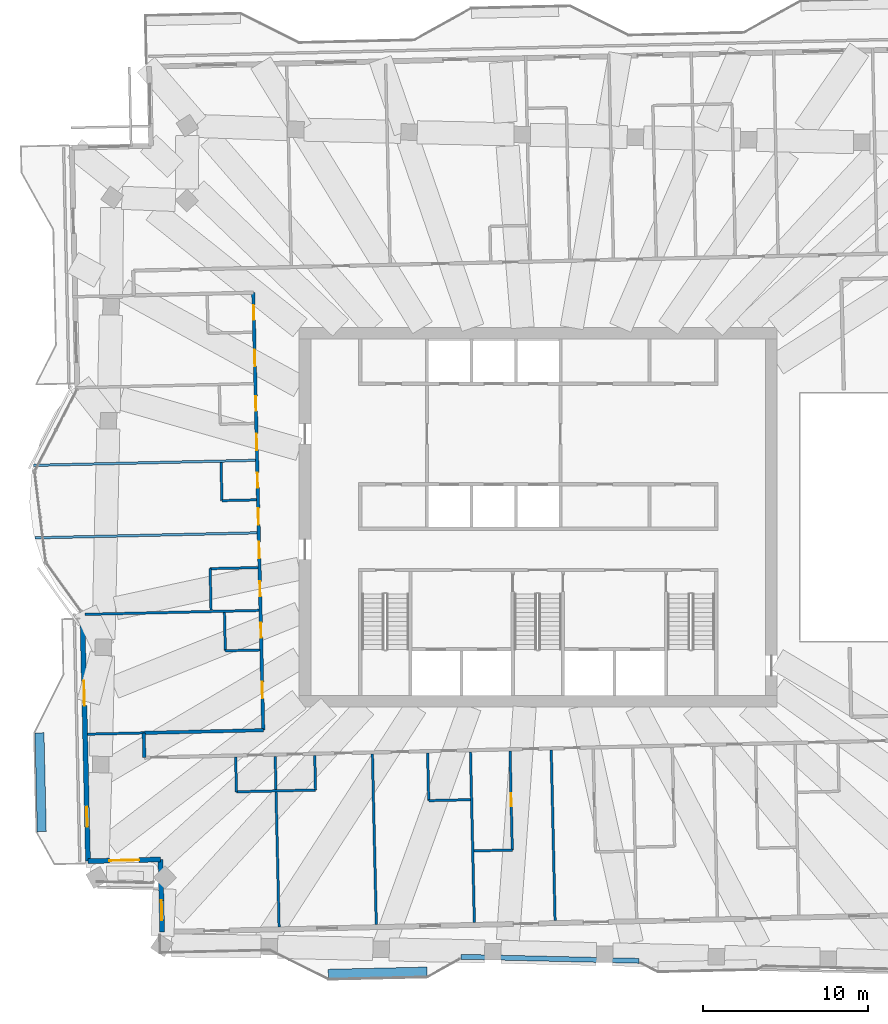
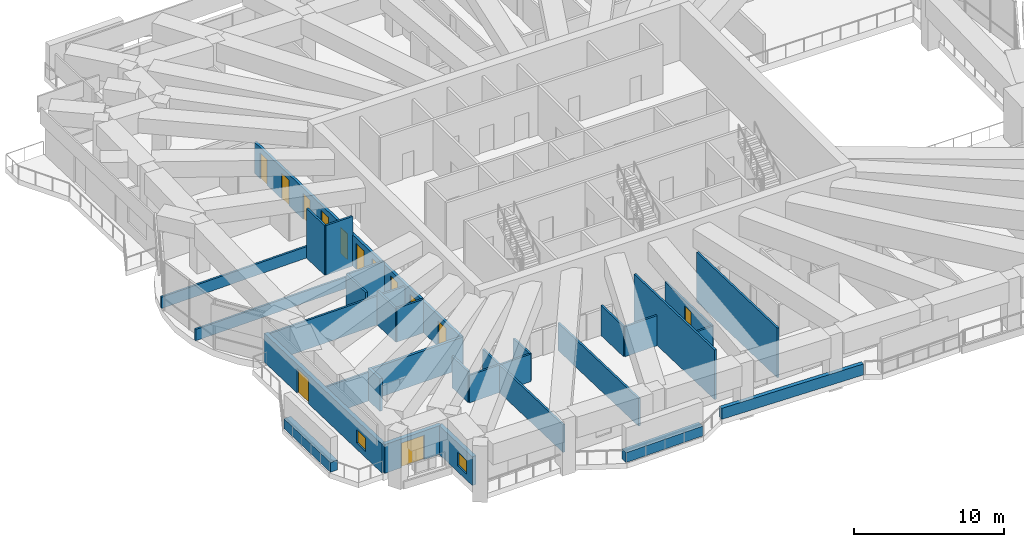
# One storey, part 11 of 21: 30 walls, 13 doors, 2 windows, 15 openings.
"""IFC4 building model written with IfcOpenShell, lengths in metres."""

from ifc_helpers import new_model, si_unit, direction, frame, frame_2d, origin, place, context, subcontext, project, spatial, rectangle, extrude, material, layer, layer_set, type_object, element, fill, save


model = new_model("IFC4")

# Units and contexts
model_context = context("Model", 3, precision=1e-05, world=origin(), true_north=direction((0.0, 1.0)))
body_context = subcontext(model_context, "Body", "Model", "MODEL_VIEW")
ifc_project = project(units=[si_unit("LENGTHUNIT", "METRE"), si_unit("AREAUNIT", "SQUARE_METRE"), si_unit("VOLUMEUNIT", "CUBIC_METRE"), si_unit("PLANEANGLEUNIT", "RADIAN"), si_unit("MASSUNIT", "GRAM", prefix="KILO")], contexts=[model_context])

# Site, building, storey
site_placement = place(None, origin())
site = spatial("IfcSite", under=ifc_project, at=site_placement, CompositionType="ELEMENT")
building_placement = place(site_placement, origin())
building = spatial("IfcBuilding", under=site, at=building_placement, Name="Mangrove Gate Tower", CompositionType="ELEMENT")
storey_placement = place(building_placement, frame((0.0, 0.0, 275.300048828125)))
storey = spatial("IfcBuildingStorey", under=building, at=storey_placement, Name="L70", CompositionType="ELEMENT", Elevation=275.300048828125)

# Walls
ifc_material_1 = material(Name="Gypsum board on steel stud, EI 60", Category="steel")
ifc_layer_1 = layer(ifc_material_1, 0.199951171875)
ifc_layer_set_1 = layer_set([ifc_layer_1], Name="Corridor wall EI 60")
wall_type_1 = type_object("IfcWallType", Name="Corridor wall EI 60", PredefinedType="PARTITIONING", material=ifc_layer_set_1)
wall_1_placement = place(storey_placement, frame((-23.89794921875, -14.5830078125, 0.0), z_axis=(0.0, 0.0, 1.0), x_axis=(-0.022617910375, 0.999744182344, 0.0)))
element("IfcWall", 1, at=wall_1_placement, inside=storey, type_object=wall_type_1, Name="WALL-L70-024", PredefinedType="PARTITIONING", context=body_context, shape_type="SweptSolid", body=[
    extrude(rectangle(XDim=1.50048828125, YDim=0.199951171875, at=frame_2d((0.750244140625, 0.0))), origin(), (0.0, 0.0, 1.0), 2.64990234375),
])
wall_2_placement = place(storey_placement, frame((-23.928955078125, -13.0830078125, 0.0), z_axis=(0.0, 0.0, 1.0), x_axis=(0.999741000612, 0.022758112756, 0.0)))
element("IfcWall", 2, at=wall_2_placement, inside=storey, type_object=wall_type_1, Name="WALL-L70-028", PredefinedType="PARTITIONING", context=body_context, shape_type="SweptSolid", body=[
    extrude(rectangle(XDim=7.251953125, YDim=0.199951171875, at=frame_2d((3.6259765625, 0.0))), origin(), (0.0, 0.0, 1.0), 2.550048828125),
])

# Wall, openings, doors
wall_3_placement = place(storey_placement, frame((-16.68408203125, -12.9189453125, 0.0), z_axis=(0.0, 0.0, 1.0), x_axis=(-0.022712214871, 0.999742044377, 0.0)))
wall_3 = element("IfcWall", 3, at=wall_3_placement, inside=storey, type_object=wall_type_1, Name="WALL-L70-029", PredefinedType="PARTITIONING", context=body_context, shape_type="SweptSolid", body=[
    extrude(rectangle(XDim=26.55078125, YDim=0.199951171875, at=frame_2d((13.275390625, 0.0))), origin(), (0.0, 0.0, 1.0), 2.550048828125),
])
opening_1_placement = place(wall_3_placement, frame((22.087890625, 0.0, 0.0)))
opening_1 = element("IfcOpeningElement", 4, at=opening_1_placement, cuts=wall_3, Name="Opening AD", PredefinedType="OPENING", context=body_context, shape_type="SweptSolid", body=[
    extrude(rectangle(XDim=1.0, YDim=2.10009765625, at=frame_2d((0.5, 1.050048828125))), frame((0.0, 0.10986328125, 0.0), z_axis=(0.0, -1.0, 0.0), x_axis=(1.0, 0.0, 0.0)), (0.0, 0.0, 1.0), 0.219970703125),
])
opening_2_placement = place(wall_3_placement, frame((24.89990234375, 0.0, 0.0)))
opening_2 = element("IfcOpeningElement", 5, at=opening_2_placement, cuts=wall_3, Name="Opening SD", PredefinedType="OPENING", context=body_context, shape_type="SweptSolid", body=[
    extrude(rectangle(XDim=0.89990234375, YDim=2.10009765625, at=frame_2d((0.449951171875, 1.050048828125))), frame((0.0, 0.10986328125, 0.0), z_axis=(0.0, -1.0, 0.0), x_axis=(1.0, 0.0, 0.0)), (0.0, 0.0, 1.0), 0.219970703125),
])
opening_3_placement = place(wall_3_placement, frame((17.0, 0.0, 0.0)))
opening_3 = element("IfcOpeningElement", 6, at=opening_3_placement, cuts=wall_3, Name="Opening AD", PredefinedType="OPENING", context=body_context, shape_type="SweptSolid", body=[
    extrude(rectangle(XDim=1.0, YDim=2.10009765625, at=frame_2d((0.5, 1.050048828125))), frame((0.0, 0.10986328125, 0.0), z_axis=(0.0, -1.0, 0.0), x_axis=(1.0, 0.0, 0.0)), (0.0, 0.0, 1.0), 0.219970703125),
])
opening_4_placement = place(wall_3_placement, frame((19.375, 0.0, 0.0)))
opening_4 = element("IfcOpeningElement", 7, at=opening_4_placement, cuts=wall_3, Name="Opening SD", PredefinedType="OPENING", context=body_context, shape_type="SweptSolid", body=[
    extrude(rectangle(XDim=0.89990234375, YDim=2.10009765625, at=frame_2d((0.449951171875, 1.050048828125))), frame((0.0, 0.10986328125, 0.0), z_axis=(0.0, -1.0, 0.0), x_axis=(1.0, 0.0, 0.0)), (0.0, 0.0, 1.0), 0.219970703125),
])
opening_5_placement = place(wall_3_placement, frame((12.47509765625, 0.0, 0.0)))
opening_5 = element("IfcOpeningElement", 8, at=opening_5_placement, cuts=wall_3, Name="Opening AD", PredefinedType="OPENING", context=body_context, shape_type="SweptSolid", body=[
    extrude(rectangle(XDim=1.0, YDim=2.10009765625, at=frame_2d((0.5, 1.050048828125))), frame((0.0, 0.10986328125, 0.0), z_axis=(0.0, -1.0, 0.0), x_axis=(1.0, 0.0, 0.0)), (0.0, 0.0, 1.0), 0.219970703125),
])
opening_6_placement = place(wall_3_placement, frame((14.72509765625, 0.0, 0.0)))
opening_6 = element("IfcOpeningElement", 9, at=opening_6_placement, cuts=wall_3, Name="Opening SD", PredefinedType="OPENING", context=body_context, shape_type="SweptSolid", body=[
    extrude(rectangle(XDim=0.89990234375, YDim=2.10009765625, at=frame_2d((0.449951171875, 1.050048828125))), frame((0.0, 0.10986328125, 0.0), z_axis=(0.0, -1.0, 0.0), x_axis=(1.0, 0.0, 0.0)), (0.0, 0.0, 1.0), 0.219970703125),
])
opening_7_placement = place(wall_3_placement, frame((10.425048828125, 0.0, 0.0)))
opening_7 = element("IfcOpeningElement", 10, at=opening_7_placement, cuts=wall_3, Name="Opening AD", PredefinedType="OPENING", context=body_context, shape_type="SweptSolid", body=[
    extrude(rectangle(XDim=1.0, YDim=2.10009765625, at=frame_2d((0.5, 1.050048828125))), frame((0.0, 0.10986328125, 0.0), z_axis=(0.0, -1.0, 0.0), x_axis=(1.0, 0.0, 0.0)), (0.0, 0.0, 1.0), 0.219970703125),
])
opening_8_placement = place(wall_3_placement, frame((8.125, 0.0, 0.0)))
opening_8 = element("IfcOpeningElement", 11, at=opening_8_placement, cuts=wall_3, Name="Opening SD", PredefinedType="OPENING", context=body_context, shape_type="SweptSolid", body=[
    extrude(rectangle(XDim=0.89990234375, YDim=2.10009765625, at=frame_2d((0.449951171875, 1.050048828125))), frame((0.0, 0.10986328125, 0.0), z_axis=(0.0, -1.0, 0.0), x_axis=(1.0, 0.0, 0.0)), (0.0, 0.0, 1.0), 0.219970703125),
])
opening_9_placement = place(wall_3_placement, frame((1.93701171875, 0.0, 0.0)))
opening_9 = element("IfcOpeningElement", 12, at=opening_9_placement, cuts=wall_3, Name="Opening AD", PredefinedType="OPENING", context=body_context, shape_type="SweptSolid", body=[
    extrude(rectangle(XDim=1.0, YDim=2.10009765625, at=frame_2d((0.5, 1.050048828125))), frame((0.0, 0.10986328125, 0.0), z_axis=(0.0, -1.0, 0.0), x_axis=(1.0, 0.0, 0.0)), (0.0, 0.0, 1.0), 0.219970703125),
])
opening_10_placement = place(wall_3_placement, frame((5.625, 0.0, 0.0)))
opening_10 = element("IfcOpeningElement", 13, at=opening_10_placement, cuts=wall_3, Name="Opening SD", PredefinedType="OPENING", context=body_context, shape_type="SweptSolid", body=[
    extrude(rectangle(XDim=0.89990234375, YDim=2.10009765625, at=frame_2d((0.449951171875, 1.050048828125))), frame((0.0, 0.10986328125, 0.0), z_axis=(0.0, -1.0, 0.0), x_axis=(1.0, 0.0, 0.0)), (0.0, 0.0, 1.0), 0.219970703125),
])
ifc_material_2 = material(Name="Timber door leaf", Category="wood")
door_type_1 = type_object("IfcDoorType", Name="Amenity door 1000", OperationType="SINGLE_SWING_LEFT", PredefinedType="DOOR", material=ifc_material_2)
door_1_placement = place(opening_1_placement, origin())
door_1 = element("IfcDoor", 14, at=door_1_placement, inside=storey, type_object=door_type_1, Name="DOOR-L70-KIT-c5b", OperationType="SINGLE_SWING_RIGHT", OverallHeight=2.10009765625, OverallWidth=1.0, PredefinedType="DOOR", context=body_context, shape_type="SweptSolid", body=[
    extrude(rectangle(XDim=1.0, YDim=2.10009765625, at=frame_2d((0.5, 1.050048828125))), frame((0.0, 0.02490234375, 0.0), z_axis=(0.0, -1.0, 0.0), x_axis=(1.0, 0.0, 0.0)), (0.0, 0.0, 1.0), 0.050048828125),
])
fill(opening_1, door_1)
door_2_placement = place(opening_3_placement, origin())
door_2 = element("IfcDoor", 15, at=door_2_placement, inside=storey, type_object=door_type_1, Name="DOOR-L70-LNG-c5c", OperationType="SINGLE_SWING_LEFT", OverallHeight=2.10009765625, OverallWidth=1.0, PredefinedType="DOOR", context=body_context, shape_type="SweptSolid", body=[
    extrude(rectangle(XDim=1.0, YDim=2.10009765625, at=frame_2d((0.5, 1.050048828125))), frame((0.0, 0.02490234375, 0.0), z_axis=(0.0, -1.0, 0.0), x_axis=(1.0, 0.0, 0.0)), (0.0, 0.0, 1.0), 0.050048828125),
])
fill(opening_3, door_2)
door_3_placement = place(opening_5_placement, origin())
door_3 = element("IfcDoor", 16, at=door_3_placement, inside=storey, type_object=door_type_1, Name="DOOR-L70-KIT-c5c", OperationType="SINGLE_SWING_RIGHT", OverallHeight=2.10009765625, OverallWidth=1.0, PredefinedType="DOOR", context=body_context, shape_type="SweptSolid", body=[
    extrude(rectangle(XDim=1.0, YDim=2.10009765625, at=frame_2d((0.5, 1.050048828125))), frame((0.0, 0.02490234375, 0.0), z_axis=(0.0, -1.0, 0.0), x_axis=(1.0, 0.0, 0.0)), (0.0, 0.0, 1.0), 0.050048828125),
])
fill(opening_5, door_3)
door_4_placement = place(opening_7_placement, origin())
door_4 = element("IfcDoor", 17, at=door_4_placement, inside=storey, type_object=door_type_1, Name="DOOR-L70-LNG-c5d", OperationType="SINGLE_SWING_LEFT", OverallHeight=2.10009765625, OverallWidth=1.0, PredefinedType="DOOR", context=body_context, shape_type="SweptSolid", body=[
    extrude(rectangle(XDim=1.0, YDim=2.10009765625, at=frame_2d((0.5, 1.050048828125))), frame((0.0, 0.02490234375, 0.0), z_axis=(0.0, -1.0, 0.0), x_axis=(1.0, 0.0, 0.0)), (0.0, 0.0, 1.0), 0.050048828125),
])
fill(opening_7, door_4)
door_5_placement = place(opening_9_placement, origin())
door_5 = element("IfcDoor", 18, at=door_5_placement, inside=storey, type_object=door_type_1, Name="DOOR-L70-LNG-c5e", OperationType="SINGLE_SWING_RIGHT", OverallHeight=2.10009765625, OverallWidth=1.0, PredefinedType="DOOR", context=body_context, shape_type="SweptSolid", body=[
    extrude(rectangle(XDim=1.0, YDim=2.10009765625, at=frame_2d((0.5, 1.050048828125))), frame((0.0, 0.02490234375, 0.0), z_axis=(0.0, -1.0, 0.0), x_axis=(1.0, 0.0, 0.0)), (0.0, 0.0, 1.0), 0.050048828125),
])
fill(opening_9, door_5)
ifc_material_3 = material(Name="Timber door leaf", Category="wood")
door_type_2 = type_object("IfcDoorType", Name="Service room door 900", OperationType="SINGLE_SWING_LEFT", PredefinedType="DOOR", material=ifc_material_3)
door_6_placement = place(opening_2_placement, origin())
door_6 = element("IfcDoor", 19, at=door_6_placement, inside=storey, type_object=door_type_2, Name="DOOR-L70-WC-c5a", OperationType="SINGLE_SWING_RIGHT", OverallHeight=2.10009765625, OverallWidth=0.89990234375, PredefinedType="DOOR", context=body_context, shape_type="SweptSolid", body=[
    extrude(rectangle(XDim=0.89990234375, YDim=2.10009765625, at=frame_2d((0.449951171875, 1.050048828125))), frame((0.0, 0.02490234375, 0.0), z_axis=(0.0, -1.0, 0.0), x_axis=(1.0, 0.0, 0.0)), (0.0, 0.0, 1.0), 0.050048828125),
])
fill(opening_2, door_6)
door_7_placement = place(opening_4_placement, origin())
door_7 = element("IfcDoor", 20, at=door_7_placement, inside=storey, type_object=door_type_2, Name="DOOR-L70-LIN-c5b", OperationType="SINGLE_SWING_LEFT", OverallHeight=2.10009765625, OverallWidth=0.89990234375, PredefinedType="DOOR", context=body_context, shape_type="SweptSolid", body=[
    extrude(rectangle(XDim=0.89990234375, YDim=2.10009765625, at=frame_2d((0.449951171875, 1.050048828125))), frame((0.0, 0.02490234375, 0.0), z_axis=(0.0, -1.0, 0.0), x_axis=(1.0, 0.0, 0.0)), (0.0, 0.0, 1.0), 0.050048828125),
])
fill(opening_4, door_7)
door_8_placement = place(opening_6_placement, origin())
door_8 = element("IfcDoor", 21, at=door_8_placement, inside=storey, type_object=door_type_2, Name="DOOR-L70-LIN-c5c", OperationType="SINGLE_SWING_RIGHT", OverallHeight=2.10009765625, OverallWidth=0.89990234375, PredefinedType="DOOR", context=body_context, shape_type="SweptSolid", body=[
    extrude(rectangle(XDim=0.89990234375, YDim=2.10009765625, at=frame_2d((0.449951171875, 1.050048828125))), frame((0.0, 0.02490234375, 0.0), z_axis=(0.0, -1.0, 0.0), x_axis=(1.0, 0.0, 0.0)), (0.0, 0.0, 1.0), 0.050048828125),
])
fill(opening_6, door_8)
door_9_placement = place(opening_8_placement, origin())
door_9 = element("IfcDoor", 22, at=door_9_placement, inside=storey, type_object=door_type_2, Name="DOOR-L70-AWC-c5a", OperationType="SINGLE_SWING_LEFT", OverallHeight=2.10009765625, OverallWidth=0.89990234375, PredefinedType="DOOR", context=body_context, shape_type="SweptSolid", body=[
    extrude(rectangle(XDim=0.89990234375, YDim=2.10009765625, at=frame_2d((0.449951171875, 1.050048828125))), frame((0.0, 0.02490234375, 0.0), z_axis=(0.0, -1.0, 0.0), x_axis=(1.0, 0.0, 0.0)), (0.0, 0.0, 1.0), 0.050048828125),
])
fill(opening_8, door_9)
door_10_placement = place(opening_10_placement, origin())
door_10 = element("IfcDoor", 23, at=door_10_placement, inside=storey, type_object=door_type_2, Name="DOOR-L70-LIN-c5d", OperationType="SINGLE_SWING_RIGHT", OverallHeight=2.10009765625, OverallWidth=0.89990234375, PredefinedType="DOOR", context=body_context, shape_type="SweptSolid", body=[
    extrude(rectangle(XDim=0.89990234375, YDim=2.10009765625, at=frame_2d((0.449951171875, 1.050048828125))), frame((0.0, 0.02490234375, 0.0), z_axis=(0.0, -1.0, 0.0), x_axis=(1.0, 0.0, 0.0)), (0.0, 0.0, 1.0), 0.050048828125),
])
fill(opening_10, door_10)

# Wall, openings, door, window
ifc_material_4 = material(Name="Limestone", Category="masonry")
ifc_layer_2 = layer(ifc_material_4, 0.0400390625, Name="Limestone cladding")
ifc_material_5 = material(Name="Ventilated air gap")
ifc_layer_3 = layer(ifc_material_5, 0.0400390625, Name="Ventilated cavity")
ifc_material_6 = material(Name="Mineral wool insulation")
ifc_layer_4 = layer(ifc_material_6, 0.06005859375, Name="Insulation")
ifc_material_7 = material(Name="Breather membrane")
ifc_layer_5 = layer(ifc_material_7, 0.001953125, Name="Breather membrane")
ifc_material_8 = material(Name="Concrete C20/25 blockwork", Category="masonry")
ifc_layer_6 = layer(ifc_material_8, 0.14990234375, Name="Blockwork backing wall")
ifc_material_9 = material(Name="Gypsum plaster")
ifc_layer_7 = layer(ifc_material_9, 0.008056640625, Name="Internal plaster")
ifc_layer_set_2 = layer_set([ifc_layer_2, ifc_layer_3, ifc_layer_4, ifc_layer_5, ifc_layer_6, ifc_layer_7], Name="External wall 300 limestone cladding")
wall_type_2 = type_object("IfcWallType", Name="External wall 300 limestone cladding", PredefinedType="SOLIDWALL", material=ifc_layer_set_2)
wall_4_placement = place(storey_placement, frame((-27.657958984375, -5.735107421875, 0.0), z_axis=(0.0, 0.0, 1.0), x_axis=(0.022670092247, -0.999743000434, 0.0)))
wall_4 = element("IfcWall", 24, at=wall_4_placement, inside=storey, type_object=wall_type_2, Name="WALL-L70-W10", PredefinedType="SOLIDWALL", context=body_context, shape_type="SweptSolid", body=[
    extrude(rectangle(XDim=15.130859375, YDim=0.300048828125, at=frame_2d((7.5654296875, 0.0))), origin(), (0.0, 0.0, 1.0), 2.349853515625),
])
opening_11_placement = place(wall_4_placement, frame((4.194091796875, 0.0, 0.0)))
opening_11 = element("IfcOpeningElement", 25, at=opening_11_placement, cuts=wall_4, Name="Opening BD3", PredefinedType="OPENING", context=body_context, shape_type="SweptSolid", body=[
    extrude(rectangle(XDim=1.5, YDim=2.0, at=frame_2d((0.75, 1.0))), frame((0.0, 0.159912109375, 0.0), z_axis=(0.0, -1.0, 0.0), x_axis=(1.0, 0.0, 0.0)), (0.0, 0.0, 1.0), 0.320068359375),
])
opening_12_placement = place(wall_4_placement, frame((11.845947265625, 0.0, 0.5)))
opening_12 = element("IfcOpeningElement", 26, at=opening_12_placement, cuts=wall_4, Name="Opening W6", PredefinedType="OPENING", context=body_context, shape_type="SweptSolid", body=[
    extrude(rectangle(XDim=1.199951171875, YDim=1.10009765625, at=frame_2d((0.60009765625, 0.550048828125))), frame((0.0, 0.159912109375, 0.0), z_axis=(0.0, -1.0, 0.0), x_axis=(1.0, 0.0, 0.0)), (0.0, 0.0, 1.0), 0.320068359375),
])
ifc_material_10 = material(Name="Aluminium frame with laminated clear glass", Category="aluminium")
door_type_3 = type_object("IfcDoorType", Name="Balcony sliding door 1500x2000", OperationType="SLIDING_TO_LEFT", PredefinedType="DOOR", material=ifc_material_10)
door_11_placement = place(opening_11_placement, origin())
door_11 = element("IfcDoor", 27, at=door_11_placement, inside=storey, type_object=door_type_3, Name="DOOR-L70-W10-1", OperationType="SLIDING_TO_LEFT", OverallHeight=2.0, OverallWidth=1.5, PredefinedType="DOOR", context=body_context, shape_type="SweptSolid", body=[
    extrude(rectangle(XDim=1.5, YDim=2.0, at=frame_2d((0.75, 1.0))), frame((0.0, 0.02490234375, 0.0), z_axis=(0.0, -1.0, 0.0), x_axis=(1.0, 0.0, 0.0)), (0.0, 0.0, 1.0), 0.050048828125),
])
fill(opening_11, door_11)
ifc_material_11 = material(Name="Aluminium frame with double-glazed low-e glass", Category="aluminium")
window_type = type_object("IfcWindowType", Name="Low window 1200x1100", PartitioningType="SINGLE_PANEL", PredefinedType="WINDOW", material=ifc_material_11)
window_1_placement = place(opening_12_placement, origin())
window_1 = element("IfcWindow", 28, at=window_1_placement, inside=storey, type_object=window_type, Name="WIN-L70-W10-2", OverallHeight=1.10009765625, OverallWidth=1.199951171875, PartitioningType="SINGLE_PANEL", PredefinedType="WINDOW", context=body_context, shape_type="SweptSolid", body=[
    extrude(rectangle(XDim=1.199951171875, YDim=1.10009765625, at=frame_2d((0.60009765625, 0.550048828125))), frame((0.0, 0.030029296875, 0.0), z_axis=(0.0, -1.0, 0.0), x_axis=(1.0, 0.0, 0.0)), (0.0, 0.0, 1.0), 0.06005859375),
])
fill(opening_12, window_1)

# Wall, opening, door
wall_5_placement = place(storey_placement, frame((-27.31494140625, -20.862060546875, 0.0), z_axis=(0.0, 0.0, 1.0), x_axis=(0.999741204967, 0.022749133868, 0.0)))
wall_5 = element("IfcWall", 29, at=wall_5_placement, inside=storey, type_object=wall_type_2, Name="WALL-L70-S11", PredefinedType="SOLIDWALL", context=body_context, shape_type="SweptSolid", body=[
    extrude(rectangle(XDim=4.400146484375, YDim=0.300048828125, at=frame_2d((2.2001953125, 0.0))), origin(), (0.0, 0.0, 1.0), 2.349853515625),
])
opening_13_placement = place(wall_5_placement, frame((1.299072265625, 0.0, 0.0)))
opening_13 = element("IfcOpeningElement", 30, at=opening_13_placement, cuts=wall_5, Name="Opening TD2", PredefinedType="OPENING", context=body_context, shape_type="SweptSolid", body=[
    extrude(rectangle(XDim=1.800048828125, YDim=2.0, at=frame_2d((0.89990234375, 1.0))), frame((0.0, 0.159912109375, 0.0), z_axis=(0.0, -1.0, 0.0), x_axis=(1.0, 0.0, 0.0)), (0.0, 0.0, 1.0), 0.320068359375),
])
ifc_material_12 = material(Name="Aluminium frame with laminated clear glass", Category="aluminium")
door_type_4 = type_object("IfcDoorType", Name="Terrace door 1800x2000", OperationType="DOUBLE_DOOR_SINGLE_SWING", PredefinedType="DOOR", material=ifc_material_12)
door_12_placement = place(opening_13_placement, origin())
door_12 = element("IfcDoor", 31, at=door_12_placement, inside=storey, type_object=door_type_4, Name="DOOR-L70-S11-1", OperationType="DOUBLE_DOOR_SINGLE_SWING", OverallHeight=2.0, OverallWidth=1.800048828125, PredefinedType="DOOR", context=body_context, shape_type="SweptSolid", body=[
    extrude(rectangle(XDim=1.800048828125, YDim=2.0, at=frame_2d((0.89990234375, 1.0))), frame((0.0, 0.02490234375, 0.0), z_axis=(0.0, -1.0, 0.0), x_axis=(1.0, 0.0, 0.0)), (0.0, 0.0, 1.0), 0.050048828125),
])
fill(opening_13, door_12)

# Wall, opening, window
wall_6_placement = place(storey_placement, frame((-22.916015625, -20.761962890625, 0.0), z_axis=(0.0, 0.0, 1.0), x_axis=(0.022749133868, -0.999741204967, 0.0)))
wall_6 = element("IfcWall", 32, at=wall_6_placement, inside=storey, type_object=wall_type_2, Name="WALL-L70-W12", PredefinedType="SOLIDWALL", context=body_context, shape_type="SweptSolid", body=[
    extrude(rectangle(XDim=4.400146484375, YDim=0.300048828125, at=frame_2d((2.2001953125, 0.0))), origin(), (0.0, 0.0, 1.0), 2.349853515625),
])
opening_14_placement = place(wall_6_placement, frame((2.47607421875, 0.0, 0.5)))
opening_14 = element("IfcOpeningElement", 33, at=opening_14_placement, cuts=wall_6, Name="Opening W6", PredefinedType="OPENING", context=body_context, shape_type="SweptSolid", body=[
    extrude(rectangle(XDim=1.199951171875, YDim=1.10009765625, at=frame_2d((0.60009765625, 0.550048828125))), frame((0.0, 0.159912109375, 0.0), z_axis=(0.0, -1.0, 0.0), x_axis=(1.0, 0.0, 0.0)), (0.0, 0.0, 1.0), 0.320068359375),
])
window_2_placement = place(opening_14_placement, origin())
window_2 = element("IfcWindow", 34, at=window_2_placement, inside=storey, type_object=window_type, Name="WIN-L70-W12-1", OverallHeight=1.10009765625, OverallWidth=1.199951171875, PartitioningType="SINGLE_PANEL", PredefinedType="WINDOW", context=body_context, shape_type="SweptSolid", body=[
    extrude(rectangle(XDim=1.199951171875, YDim=1.10009765625, at=frame_2d((0.60009765625, 0.550048828125))), frame((0.0, 0.030029296875, 0.0), z_axis=(0.0, -1.0, 0.0), x_axis=(1.0, 0.0, 0.0)), (0.0, 0.0, 1.0), 0.06005859375),
])
fill(opening_14, window_2)

# Walls
ifc_layer_8 = layer(ifc_material_4, 0.0400390625, Name="Limestone cladding")
ifc_layer_9 = layer(ifc_material_5, 0.030029296875, Name="Ventilated cavity")
ifc_layer_10 = layer(ifc_material_6, 0.050048828125, Name="Insulation")
ifc_material_13 = material(Name="Concrete C32/40", Category="concrete")
ifc_layer_11 = layer(ifc_material_13, 0.179931640625, Name="Parapet core wall")
ifc_layer_set_3 = layer_set([ifc_layer_8, ifc_layer_9, ifc_layer_10, ifc_layer_11], Name="Parapet 300 limestone")
wall_type_3 = type_object("IfcWallType", Name="Parapet 300 limestone", PredefinedType="PARAPET", material=ifc_layer_set_3)
wall_7_placement = place(storey_placement, frame((6.10302734375, -26.908935546875, 0.0), z_axis=(0.0, 0.0, 1.0), x_axis=(-0.999741964143, 0.022715746325, 0.0)))
element("IfcWall", 35, at=wall_7_placement, inside=storey, type_object=wall_type_3, Name="PARAPET L70 T3.1.1", PredefinedType="PARAPET", context=body_context, shape_type="SweptSolid", body=[
    extrude(rectangle(XDim=10.77978515625, YDim=0.300048828125, at=frame_2d((5.389892578125, 0.0))), origin(), (0.0, 0.0, 1.0), 0.89990234375),
])
ifc_material_14 = material(Name="Gypsum board on steel stud, EI 60", Category="steel")
ifc_layer_12 = layer(ifc_material_14, 0.14990234375)
ifc_layer_set_4 = layer_set([ifc_layer_12], Name="Party wall 150 EI 60")
wall_type_4 = type_object("IfcWallType", Name="Party wall 150 EI 60", PredefinedType="PARTITIONING", material=ifc_layer_set_4)
for number, where, z_axis, x_axis, name in (
    (36, (-15.722900390625, -24.85009765625, 0.0), (0.0, 0.0, 1.0), (-0.022716047022, 0.999741957311, 0.0), "WALL-L70-001"),
    (37, (-9.824951171875, -24.716064453125, 0.0), (0.0, 0.0, 1.0), (-0.022716047022, 0.999741957311, 0.0), "WALL-L70-002"),
):
    element("IfcWall", number, at=place(storey_placement, frame(where, z_axis=z_axis, x_axis=x_axis)), inside=storey, type_object=wall_type_4, Name=name, PredefinedType="PARTITIONING", context=body_context, shape_type="SweptSolid", body=[
        extrude(rectangle(XDim=10.349853515625, YDim=0.14990234375, at=frame_2d((5.1748046875, 0.0))), origin(), (0.0, 0.0, 1.0), 2.25),
    ])
wall_8_placement = place(storey_placement, frame((-3.8759765625, -24.5810546875, 0.0), z_axis=(0.0, 0.0, 1.0), x_axis=(-0.022716047022, 0.999741957311, 0.0)))
element("IfcWall", 38, at=wall_8_placement, inside=storey, type_object=wall_type_4, Name="WALL-L70-003", PredefinedType="PARTITIONING", context=body_context, shape_type="SweptSolid", body=[
    extrude(rectangle(XDim=10.349853515625, YDim=0.14990234375, at=frame_2d((5.1748046875, 0.0))), origin(), (0.0, 0.0, 1.0), 4.050048828125),
])
wall_9_placement = place(storey_placement, frame((1.02197265625, -24.469970703125, 0.0), z_axis=(0.0, 0.0, 1.0), x_axis=(-0.022596564565, 0.999744665037, 0.0)))
element("IfcWall", 39, at=wall_9_placement, inside=storey, type_object=wall_type_4, Name="WALL-L70-004", PredefinedType="PARTITIONING", context=body_context, shape_type="SweptSolid", body=[
    extrude(rectangle(XDim=10.3505859375, YDim=0.14990234375, at=frame_2d((5.17529296875, 0.0))), origin(), (0.0, 0.0, 1.0), 4.050048828125),
])
wall_10_placement = place(storey_placement, frame((-3.89794921875, -20.239990234375, 0.0), z_axis=(0.0, 0.0, 1.0), x_axis=(0.999749954681, 0.022361308448, 0.0)))
element("IfcWall", 40, at=wall_10_placement, inside=storey, type_object=wall_type_4, Name="WALL-L70-013", PredefinedType="PARTITIONING", context=body_context, shape_type="SweptSolid", body=[
    extrude(rectangle(XDim=2.325439453125, YDim=0.14990234375, at=frame_2d((1.16259765625, 0.0))), origin(), (0.0, 0.0, 1.0), 2.550048828125),
])

# Wall, opening, door
wall_11_placement = place(storey_placement, frame((-1.574951171875, -20.18798828125, 0.0), z_axis=(0.0, 0.0, 1.0), x_axis=(-0.022786914772, 0.999740344547, 0.0)))
wall_11 = element("IfcWall", 41, at=wall_11_placement, inside=storey, type_object=wall_type_4, Name="WALL-L70-014", PredefinedType="PARTITIONING", context=body_context, shape_type="SweptSolid", body=[
    extrude(rectangle(XDim=6.010498046875, YDim=0.14990234375, at=frame_2d((3.00537109375, 0.0))), origin(), (0.0, 0.0, 1.0), 2.550048828125),
])
opening_15_placement = place(wall_11_placement, frame((2.655029296875, 0.0, 0.0)))
opening_15 = element("IfcOpeningElement", 42, at=opening_15_placement, cuts=wall_11, Name="Opening ED", PredefinedType="OPENING", context=body_context, shape_type="SweptSolid", body=[
    extrude(rectangle(XDim=0.800048828125, YDim=2.10009765625, at=frame_2d((0.39990234375, 1.050048828125))), frame((0.0, 0.0849609375, 0.0), z_axis=(0.0, -1.0, 0.0), x_axis=(1.0, 0.0, 0.0)), (0.0, 0.0, 1.0), 0.169921875),
])
ifc_material_15 = material(Name="Timber door leaf", Category="wood")
door_type_5 = type_object("IfcDoorType", Name="En-suite door 800", OperationType="SINGLE_SWING_LEFT", PredefinedType="DOOR", material=ifc_material_15)
door_13_placement = place(opening_15_placement, origin())
door_13 = element("IfcDoor", 43, at=door_13_placement, inside=storey, type_object=door_type_5, Name="DOOR-L70-ENS-c101", OperationType="SINGLE_SWING_LEFT", OverallHeight=2.10009765625, OverallWidth=0.800048828125, PredefinedType="DOOR", context=body_context, shape_type="SweptSolid", body=[
    extrude(rectangle(XDim=0.800048828125, YDim=2.10009765625, at=frame_2d((0.39990234375, 1.050048828125))), frame((0.0, 0.02490234375, 0.0), z_axis=(0.0, -1.0, 0.0), x_axis=(1.0, 0.0, 0.0)), (0.0, 0.0, 1.0), 0.050048828125),
])
fill(opening_15, door_13)

# Walls
wall_12_placement = place(storey_placement, frame((-6.64501953125, -17.19189453125, 0.0), z_axis=(0.0, 0.0, 1.0), x_axis=(-0.022396267458, 0.999749172145, 0.0)))
element("IfcWall", 44, at=wall_12_placement, inside=storey, type_object=wall_type_4, Name="WALL-L70-017", PredefinedType="PARTITIONING", context=body_context, shape_type="SweptSolid", body=[
    extrude(rectangle(XDim=2.899658203125, YDim=0.14990234375, at=frame_2d((1.44970703125, 0.0))), origin(), (0.0, 0.0, 1.0), 2.449951171875),
])
wall_13_placement = place(storey_placement, frame((-6.64306640625, -17.19189453125, 0.0), z_axis=(0.0, 0.0, 1.0), x_axis=(0.999746356616, 0.022521599255, 0.0)))
element("IfcWall", 45, at=wall_13_placement, inside=storey, type_object=wall_type_4, Name="WALL-L70-018", PredefinedType="PARTITIONING", context=body_context, shape_type="SweptSolid", body=[
    extrude(rectangle(XDim=2.52587890625, YDim=0.14990234375, at=frame_2d((1.262939453125, 0.0))), origin(), (0.0, 0.0, 1.0), 2.449951171875),
])
wall_14_placement = place(storey_placement, frame((-18.31005859375, -16.656005859375, 0.0), z_axis=(0.0, 0.0, 1.0), x_axis=(-0.022325208909, 0.999750761464, 0.0)))
element("IfcWall", 46, at=wall_14_placement, inside=storey, type_object=wall_type_4, Name="WALL-L70-021", PredefinedType="PARTITIONING", context=body_context, shape_type="SweptSolid", body=[
    extrude(rectangle(XDim=2.099609375, YDim=0.14990234375, at=frame_2d((1.0498046875, 0.0))), origin(), (0.0, 0.0, 1.0), 2.550048828125),
])
wall_15_placement = place(storey_placement, frame((-18.30810546875, -16.656005859375, 0.0), z_axis=(0.0, 0.0, 1.0), x_axis=(0.999742701292, 0.022683280499, 0.0)))
element("IfcWall", 47, at=wall_15_placement, inside=storey, type_object=wall_type_4, Name="WALL-L70-022", PredefinedType="PARTITIONING", context=body_context, shape_type="SweptSolid", body=[
    extrude(rectangle(XDim=4.80029296875, YDim=0.14990234375, at=frame_2d((2.400146484375, 0.0))), origin(), (0.0, 0.0, 1.0), 2.25),
])
wall_16_placement = place(storey_placement, frame((-13.510986328125, -16.548095703125, 0.0), z_axis=(0.0, 0.0, 1.0), x_axis=(-0.022895647347, 0.999737860308, 0.0)))
element("IfcWall", 48, at=wall_16_placement, inside=storey, type_object=wall_type_4, Name="WALL-L70-023", PredefinedType="PARTITIONING", context=body_context, shape_type="SweptSolid", body=[
    extrude(rectangle(XDim=2.1005859375, YDim=0.14990234375, at=frame_2d((1.05029296875, 0.0))), origin(), (0.0, 0.0, 1.0), 2.25),
])
wall_17_placement = place(storey_placement, frame((-27.340087890625, -13.159912109375, 0.0), z_axis=(0.0, 0.0, 1.0), x_axis=(0.999745956294, 0.022539362742, 0.0)))
element("IfcWall", 49, at=wall_17_placement, inside=storey, type_object=wall_type_4, Name="WALL-L70-027", PredefinedType="PARTITIONING", context=body_context, shape_type="SweptSolid", body=[
    extrude(rectangle(XDim=3.412109375, YDim=0.14990234375, at=frame_2d((1.7060546875, 0.0))), origin(), (0.0, 0.0, 1.0), 2.349853515625),
])
wall_18_placement = place(storey_placement, frame((-18.989013671875, -8.10009765625, 0.0), z_axis=(0.0, 0.0, 1.0), x_axis=(0.999737616439, 0.022906293375, 0.0)))
element("IfcWall", 50, at=wall_18_placement, inside=storey, type_object=wall_type_4, Name="WALL-L70-033", PredefinedType="PARTITIONING", context=body_context, shape_type="SweptSolid", body=[
    extrude(rectangle(XDim=2.099609375, YDim=0.14990234375, at=frame_2d((1.0498046875, 0.0))), origin(), (0.0, 0.0, 1.0), 2.75),
])
wall_19_placement = place(storey_placement, frame((-18.98388671875, -8.094970703125, 0.0), z_axis=(0.0, 0.0, 1.0), x_axis=(-0.022885950011, 0.999738082346, 0.0)))
element("IfcWall", 51, at=wall_19_placement, inside=storey, type_object=wall_type_4, Name="WALL-L70-034", PredefinedType="PARTITIONING", context=body_context, shape_type="SweptSolid", body=[
    extrude(rectangle(XDim=2.325439453125, YDim=0.14990234375, at=frame_2d((1.16259765625, 0.0))), origin(), (0.0, 0.0, 1.0), 2.75),
])
wall_20_placement = place(storey_placement, frame((-27.50390625, -5.89208984375, 0.0), z_axis=(0.0, 0.0, 1.0), x_axis=(0.999743943334, 0.022628472488, 0.0)))
element("IfcWall", 52, at=wall_20_placement, inside=storey, type_object=wall_type_4, Name="WALL-L70-035", PredefinedType="PARTITIONING", context=body_context, shape_type="SweptSolid", body=[
    extrude(rectangle(XDim=10.5625, YDim=0.14990234375, at=frame_2d((5.28125, 0.0))), origin(), (0.0, 0.0, 1.0), 2.349853515625),
])
wall_21_placement = place(storey_placement, frame((-19.85009765625, -5.638916015625, 0.0), z_axis=(0.0, 0.0, 1.0), x_axis=(-0.022523775833, 0.999746307581, 0.0)))
element("IfcWall", 53, at=wall_21_placement, inside=storey, type_object=wall_type_4, Name="WALL-L70-036", PredefinedType="PARTITIONING", context=body_context, shape_type="SweptSolid", body=[
    extrude(rectangle(XDim=2.525634765625, YDim=0.14990234375, at=frame_2d((1.2626953125, 0.0))), origin(), (0.0, 0.0, 1.0), 2.849853515625),
])
wall_22_placement = place(storey_placement, frame((-19.902099609375, -3.118896484375, 0.0), z_axis=(0.0, 0.0, 1.0), x_axis=(0.999741618182, 0.022730967319, 0.0)))
element("IfcWall", 54, at=wall_22_placement, inside=storey, type_object=wall_type_4, Name="WALL-L70-037", PredefinedType="PARTITIONING", context=body_context, shape_type="SweptSolid", body=[
    extrude(rectangle(XDim=2.89990234375, YDim=0.14990234375, at=frame_2d((1.449951171875, 0.0))), origin(), (0.0, 0.0, 1.0), 2.849853515625),
])
wall_23_placement = place(storey_placement, frame((-30.534912109375, -1.25, 0.0), z_axis=(0.0, 0.0, 1.0), x_axis=(0.999742750552, 0.022681109296, 0.0)))
element("IfcWall", 55, at=wall_23_placement, inside=storey, type_object=wall_type_4, Name="WALL-L70-038", PredefinedType="PARTITIONING", context=body_context, shape_type="SweptSolid", body=[
    extrude(rectangle(XDim=13.4873046875, YDim=0.14990234375, at=frame_2d((6.74365234375, 0.0))), origin(), (0.0, 0.0, 1.0), 0.929931640625),
])
wall_24_placement = place(storey_placement, frame((-19.19091796875, 1.0029296875, 0.0), z_axis=(0.0, 0.0, 1.0), x_axis=(-0.022361308448, 0.999749954681, 0.0)))
element("IfcWall", 56, at=wall_24_placement, inside=storey, type_object=wall_type_4, Name="WALL-L70-039", PredefinedType="PARTITIONING", context=body_context, shape_type="SweptSolid", body=[
    extrude(rectangle(XDim=2.325439453125, YDim=0.14990234375, at=frame_2d((1.16259765625, 0.0))), origin(), (0.0, 0.0, 1.0), 4.050048828125),
])
wall_25_placement = place(storey_placement, frame((-19.196044921875, 1.008056640625, 0.0), z_axis=(0.0, 0.0, 1.0), x_axis=(0.999740513837, 0.022779486249, 0.0)))
element("IfcWall", 57, at=wall_25_placement, inside=storey, type_object=wall_type_4, Name="WALL-L70-040", PredefinedType="PARTITIONING", context=body_context, shape_type="SweptSolid", body=[
    extrude(rectangle(XDim=2.1005859375, YDim=0.14990234375, at=frame_2d((1.05029296875, 0.0))), origin(), (0.0, 0.0, 1.0), 4.050048828125),
])
wall_26_placement = place(storey_placement, frame((-30.6201171875, 3.14892578125, 0.0), z_axis=(0.0, 0.0, 1.0), x_axis=(0.99974177941, 0.022723875138, 0.0)))
element("IfcWall", 58, at=wall_26_placement, inside=storey, type_object=wall_type_4, Name="WALL-L70-041", PredefinedType="PARTITIONING", context=body_context, shape_type="SweptSolid", body=[
    extrude(rectangle(XDim=13.47265625, YDim=0.14990234375, at=frame_2d((6.736328125, 0.0))), origin(), (0.0, 0.0, 1.0), 0.929931640625),
])
ifc_layer_13 = layer(ifc_material_13, 0.199951171875, Name="Planter trough wall")
ifc_material_16 = material(Name="Bituminous waterproofing membrane")
ifc_layer_14 = layer(ifc_material_16, 0.0048828125, Name="Waterproofing")
ifc_material_17 = material(Name="Drainage board and gravel")
ifc_layer_15 = layer(ifc_material_17, 0.044921875, Name="Drainage layer")
ifc_material_18 = material(Name="Planting soil")
ifc_layer_16 = layer(ifc_material_18, 0.300048828125, Name="Growing medium")
ifc_layer_set_5 = layer_set([ifc_layer_13, ifc_layer_14, ifc_layer_15, ifc_layer_16], Name="Planter wall 550 C32/40")
wall_type_5 = type_object("IfcWallType", Name="Planter wall 550 C32/40", PredefinedType="USERDEFINED", material=ifc_layer_set_5)
wall_27_placement = place(storey_placement, frame((-30.12109375, -19.074951171875, 0.0), z_axis=(0.0, 0.0, 1.0), x_axis=(-0.022665943652, 0.999743094499, 0.0)))
element("IfcWall", 59, at=wall_27_placement, inside=storey, type_object=wall_type_5, Name="PLANTER L70 W1.1", ObjectType="PLANTER", PredefinedType="USERDEFINED", context=body_context, shape_type="SweptSolid", body=[
    extrude(rectangle(XDim=5.99951171875, YDim=0.550048828125, at=frame_2d((2.999755859375, 0.0))), origin(), (0.0, 0.0, 1.0), 0.800048828125),
])
wall_28_placement = place(storey_placement, frame((-12.738037109375, -27.697998046875, 0.0), z_axis=(0.0, 0.0, 1.0), x_axis=(0.999743178102, 0.022662255828, 0.0)))
element("IfcWall", 60, at=wall_28_placement, inside=storey, type_object=wall_type_5, Name="PLANTER L70 S0.1", ObjectType="PLANTER", PredefinedType="USERDEFINED", context=body_context, shape_type="SweptSolid", body=[
    extrude(rectangle(XDim=6.00048828125, YDim=0.550048828125, at=frame_2d((3.000244140625, 0.0))), origin(), (0.0, 0.0, 1.0), 0.800048828125),
])

save(model, "model.ifc")
